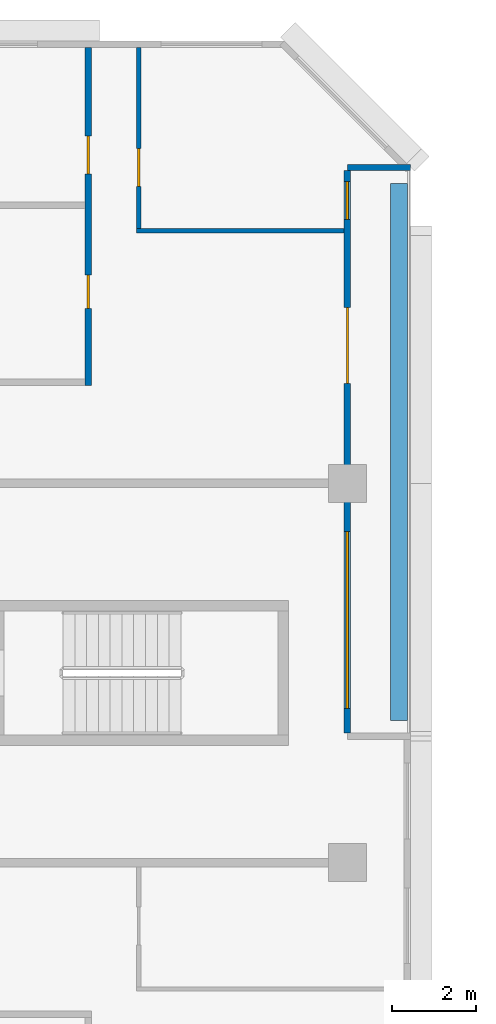
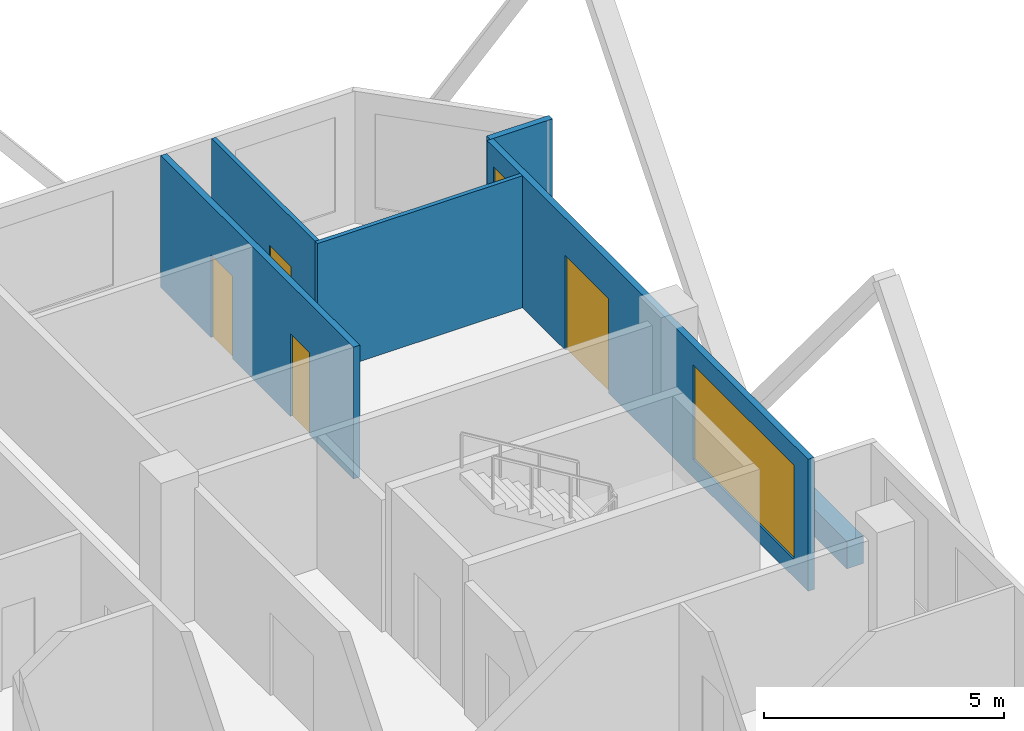
# One storey, part 11 of 15: 6 walls, 4 doors, 2 windows, 6 openings.
"""IFC4 building model written with IfcOpenShell, lengths in metres."""

import ifcopenshell
import ifcopenshell.guid

model = None  # the IFC model being written
_history = None  # IfcOwnerHistory: only IFC2X3 demands one
_inside = {}  # id of a spatial element -> (the spatial element, [elements in it])
_under = {}  # id of a project, library or spatial element -> (it, [spatial elements below it])
_declared = {}  # id of a project -> (the project, [libraries it declares])
_typed = {}  # id of a type object -> (the type object, [elements of that type])
_made_of = {}  # id of a material, layer set ... -> (it, [elements and type objects made of it])


def new_model(schema):
    """Start an empty IFC model of exactly this schema.

    Asked for "IFC4X3", IfcOpenShell would pick the latest addendum, in which some entities
    have other attributes; the version numbers below select the first issue.
    IFC2X3 requires an IfcOwnerHistory on every rooted entity: one is made here for all.
    """
    global model, _history
    if schema == "IFC4X3":
        model = ifcopenshell.file(schema_version=(4, 3, 0, 0))
    else:
        model = ifcopenshell.file(schema=schema)
    _inside.clear()
    _under.clear()
    _declared.clear()
    _typed.clear()
    _made_of.clear()
    _history = None
    if model.schema == "IFC2X3":
        org = make("IfcOrganization", Name="unknown")
        user = make(
            "IfcPersonAndOrganization",
            ThePerson=make("IfcPerson", FamilyName="unknown"),
            TheOrganization=org,
        )
        app = make(
            "IfcApplication",
            ApplicationDeveloper=org,
            Version="unknown",
            ApplicationFullName="unknown",
            ApplicationIdentifier="unknown",
        )
        _history = make(
            "IfcOwnerHistory",
            OwningUser=user,
            OwningApplication=app,
            ChangeAction="ADDED",
            CreationDate=0,
        )
    return model


def make(cls, **values):
    """One entity of the class cls with the attributes given. An attribute that is None is left unset."""
    return model.create_entity(
        cls, **{name: value for name, value in values.items() if value is not None}
    )


def rooted(cls, **values):
    """An entity with a GlobalId (a new one), such as an element, a storey or a relation."""
    return make(cls, GlobalId=ifcopenshell.guid.new(), OwnerHistory=_history, **values)


def si_unit(unit_type, name, prefix=None):
    """IfcSIUnit, for example si_unit("LENGTHUNIT", "METRE", prefix="MILLI")."""
    return make("IfcSIUnit", UnitType=unit_type, Prefix=prefix, Name=name)


def assignment(units):
    """IfcUnitAssignment: the units of a project."""
    return None if units is None else make("IfcUnitAssignment", Units=units)


def point(xyz):
    """IfcCartesianPoint."""
    return None if xyz is None else make("IfcCartesianPoint", Coordinates=xyz)


def direction(xyz):
    """IfcDirection."""
    return None if xyz is None else make("IfcDirection", DirectionRatios=xyz)


def frame(location, z_axis=None, x_axis=None):
    """IfcAxis2Placement3D, a coordinate frame: its origin and axes. An axis left out is left unset."""
    return make(
        "IfcAxis2Placement3D",
        Location=point(location),
        Axis=direction(z_axis),
        RefDirection=direction(x_axis),
    )


def frame_2d(location, x_axis=None):
    """IfcAxis2Placement2D, a coordinate frame in the plane: its origin and x axis."""
    return make(
        "IfcAxis2Placement2D", Location=point(location), RefDirection=direction(x_axis)
    )


def origin():
    """The frame at (0, 0, 0) with its axes left unset."""
    return frame((0.0, 0.0, 0.0))


def place(relative_to, where):
    """IfcLocalPlacement: puts the frame where relative to a parent placement (None: the world)."""
    return make(
        "IfcLocalPlacement", PlacementRelTo=relative_to, RelativePlacement=where
    )


def context(
    kind, dimensions, precision=None, world=None, true_north=None, identifier=None
):
    """IfcGeometricRepresentationContext, for example the 3D "Model" context."""
    return make(
        "IfcGeometricRepresentationContext",
        ContextIdentifier=identifier,
        ContextType=kind,
        CoordinateSpaceDimension=dimensions,
        Precision=precision,
        WorldCoordinateSystem=world,
        TrueNorth=true_north,
    )


def subcontext(parent, identifier, kind, view, scale=None):
    """IfcGeometricRepresentationSubContext, for example "Body" below "Model"."""
    return make(
        "IfcGeometricRepresentationSubContext",
        ContextIdentifier=identifier,
        ContextType=kind,
        ParentContext=parent,
        TargetScale=scale,
        TargetView=view,
    )


def project(units=None, contexts=None):
    """IfcProject with its units and contexts."""
    return rooted(
        "IfcProject",
        Name="project",
        RepresentationContexts=contexts,
        UnitsInContext=assignment(units),
    )


def spatial(cls, under=None, at=None, **own):
    """A site, building, storey or space (cls), placed at a placement, below another one or the project."""
    s = rooted(cls, ObjectPlacement=at, **own)
    if under is not None:
        _under.setdefault(under.id(), (under, []))[1].append(s)
    return s


def profile(cls, at=None, kind="AREA", **sizes):
    """A parametric profile (cls). Its sizes go by their IFC names, for example OverallWidth=200.0."""
    return make(cls, ProfileType=kind, Position=at, **sizes)


def rectangle(**sizes):
    """IfcRectangleProfileDef."""
    return profile("IfcRectangleProfileDef", **sizes)


def extrude(swept, where, along, depth):
    """IfcExtrudedAreaSolid: the profile swept, set in the frame where, extruded along a direction by depth."""
    return make(
        "IfcExtrudedAreaSolid",
        SweptArea=swept,
        Position=where,
        ExtrudedDirection=direction(along),
        Depth=depth,
    )


def shape(context_of_items, identifier, shape_type, items):
    """IfcShapeRepresentation: the items that make up one representation, for example the "Body"."""
    return make(
        "IfcShapeRepresentation",
        ContextOfItems=context_of_items,
        RepresentationIdentifier=identifier,
        RepresentationType=shape_type,
        Items=items,
    )


def material(Name=None, Category=None):
    """IfcMaterial."""
    return make("IfcMaterial", Name=Name, Category=Category)


def layer(
    of_material, thickness, ventilated=None, Name=None, Category=None, Priority=None
):
    """IfcMaterialLayer: one layer of a wall or slab, of a material (None: an air gap)."""
    return make(
        "IfcMaterialLayer",
        Material=of_material,
        LayerThickness=thickness,
        IsVentilated=ventilated,
        Name=Name,
        Category=Category,
        Priority=Priority,
    )


def layer_set(layers, Name=None):
    """IfcMaterialLayerSet."""
    return make("IfcMaterialLayerSet", MaterialLayers=layers, LayerSetName=Name)


def made_of(thing, what):
    """Note that an element or type object is made of a material, layer set ...; save() writes the relation."""
    if what is not None:
        _made_of.setdefault(what.id(), (what, []))[1].append(thing)
    return thing


def type_object(cls, material=None, **own):
    """A type object (cls), such as IfcWallType, which elements share."""
    return made_of(rooted(cls, **own), material)


def element(
    cls,
    number,
    at=None,
    inside=None,
    cuts=None,
    type_object=None,
    material=None,
    context=None,
    identifier="Body",
    shape_type=None,
    held_by="IfcProductDefinitionShape",
    body=None,
    shapes=None,
    **own,
):
    """One element of the class cls, such as IfcWall. Its Tag is "e" and its number.

    at: its placement. inside: the storey or other place that contains it. cuts: it is an
    opening in that element (IfcRelVoidsElement). A single representation is given by context,
    identifier, shape_type and body (its items); several are given by shapes. held_by: the class
    of the entity that holds the representations. save() writes the other relations.
    """
    e = rooted(cls, Tag="e%d" % number, ObjectPlacement=at, **own)
    if body is not None:
        shapes = [shape(context, identifier, shape_type, body)]
    if shapes is not None:
        e.Representation = make(held_by, Representations=shapes)
    if inside is not None:
        _inside.setdefault(inside.id(), (inside, []))[1].append(e)
    if cuts is not None:
        rooted(
            "IfcRelVoidsElement", RelatingBuildingElement=cuts, RelatedOpeningElement=e
        )
    if type_object is not None:
        _typed.setdefault(type_object.id(), (type_object, []))[1].append(e)
    return made_of(e, material)


def fill(opening, filler):
    """IfcRelFillsElement: the door or window that sits in an opening."""
    return rooted(
        "IfcRelFillsElement",
        RelatingOpeningElement=opening,
        RelatedBuildingElement=filler,
    )


def aggregate(whole, parts):
    """IfcRelAggregates: a whole, such as a stair, and the parts it consists of."""
    return rooted("IfcRelAggregates", RelatingObject=whole, RelatedObjects=parts)


def save(model, path):
    """Write the relations noted so far, then the file.

    IfcRelAggregates (storeys below a building ...), IfcRelContainedInSpatialStructure (elements
    in a storey), IfcRelDefinesByType, IfcRelAssociatesMaterial and IfcRelDeclares: one each for
    every whole, place, type object, material and project.
    """
    for whole, parts in _under.values():
        aggregate(whole, parts)
    for where, things in _inside.values():
        rooted(
            "IfcRelContainedInSpatialStructure",
            RelatedElements=things,
            RelatingStructure=where,
        )
    for kind, things in _typed.values():
        rooted("IfcRelDefinesByType", RelatedObjects=things, RelatingType=kind)
    for what, things in _made_of.values():
        rooted("IfcRelAssociatesMaterial", RelatedObjects=things, RelatingMaterial=what)
    for by, libraries in _declared.values():
        rooted("IfcRelDeclares", RelatingContext=by, RelatedDefinitions=libraries)
    model.write(path)


model = new_model("IFC4")

# Units and contexts
model_context = context("Model", 3, precision=1e-05, world=origin(), true_north=direction((0.0, 1.0)))
body_context = subcontext(model_context, "Body", "Model", "MODEL_VIEW")
ifc_project = project(units=[si_unit("LENGTHUNIT", "METRE"), si_unit("AREAUNIT", "SQUARE_METRE"), si_unit("VOLUMEUNIT", "CUBIC_METRE"), si_unit("PLANEANGLEUNIT", "RADIAN"), si_unit("MASSUNIT", "GRAM", prefix="KILO")], contexts=[model_context])

# Site, building, storey
site_placement = place(None, origin())
site = spatial("IfcSite", under=ifc_project, at=site_placement, CompositionType="ELEMENT")
building_placement = place(site_placement, origin())
building = spatial("IfcBuilding", under=site, at=building_placement, Name="Chenar Terraces", CompositionType="ELEMENT")
storey_placement = place(building_placement, frame((0.0, 0.0, 172.39990234375)))
storey = spatial("IfcBuildingStorey", under=building, at=storey_placement, Name="L39", CompositionType="ELEMENT", Elevation=172.39990234375)

# Wall, openings, windows, door
ifc_material_1 = material(Name="Aluminium framed glazing", Category="aluminium")
ifc_layer_1 = layer(ifc_material_1, 0.14990234375)
ifc_layer_set_1 = layer_set([ifc_layer_1], Name="Aluminium framed glazing")
wall_type_1 = type_object("IfcWallType", Name="Glazed loggia back wall 150", PredefinedType="SOLIDWALL", material=ifc_layer_set_1)
wall_1_placement = place(storey_placement, frame((24.0, 48.074951171875, 0.0), z_axis=(0.0, 0.0, 1.0), x_axis=(0.0, 1.0, 0.0)))
wall_1 = element("IfcWall", 1, at=wall_1_placement, inside=storey, type_object=wall_type_1, Name="Glazed loggia back wall", PredefinedType="SOLIDWALL", context=body_context, shape_type="SweptSolid", body=[
    extrude(rectangle(XDim=13.35009765625, YDim=0.14990234375, at=frame_2d((6.675048828125, 0.0))), origin(), (0.0, 0.0, 1.0), 3.35009765625),
])
opening_1_placement = place(wall_1_placement, frame((0.58740234375, 0.0, 0.449951171875)))
opening_1 = element("IfcOpeningElement", 2, at=opening_1_placement, cuts=wall_1, Name="Opening W420x240", PredefinedType="OPENING", context=body_context, shape_type="SweptSolid", body=[
    extrude(rectangle(XDim=4.199951171875, YDim=2.39990234375, at=frame_2d((2.10009765625, 1.199951171875))), frame((0.0, 0.0849609375, 0.0), z_axis=(0.0, -1.0, 0.0), x_axis=(1.0, 0.0, 0.0)), (0.0, 0.0, 1.0), 0.169921875),
])
opening_2_placement = place(wall_1_placement, frame((8.300048828125, 0.0, 0.0)))
opening_2 = element("IfcOpeningElement", 3, at=opening_2_placement, cuts=wall_1, Name="Opening DL39-G2", PredefinedType="OPENING", context=body_context, shape_type="SweptSolid", body=[
    extrude(rectangle(XDim=1.800048828125, YDim=2.39990234375, at=frame_2d((0.89990234375, 1.199951171875))), frame((0.0, 0.0849609375, 0.0), z_axis=(0.0, -1.0, 0.0), x_axis=(1.0, 0.0, 0.0)), (0.0, 0.0, 1.0), 0.169921875),
])
opening_3_placement = place(wall_1_placement, frame((12.1875, 0.0, 0.449951171875)))
opening_3 = element("IfcOpeningElement", 4, at=opening_3_placement, cuts=wall_1, Name="Opening W90x240", PredefinedType="OPENING", context=body_context, shape_type="SweptSolid", body=[
    extrude(rectangle(XDim=0.89990234375, YDim=2.39990234375, at=frame_2d((0.449951171875, 1.199951171875))), frame((0.0, 0.0849609375, 0.0), z_axis=(0.0, -1.0, 0.0), x_axis=(1.0, 0.0, 0.0)), (0.0, 0.0, 1.0), 0.169921875),
])
ifc_material_2 = material(Name="Low emissivity double glazing, aluminium frame", Category="aluminium")
window_type_1 = type_object("IfcWindowType", Name="Fixed light 4200 x 2400", PartitioningType="SINGLE_PANEL", PredefinedType="WINDOW", material=ifc_material_2)
window_1_placement = place(opening_1_placement, origin())
window_1 = element("IfcWindow", 5, at=window_1_placement, inside=storey, type_object=window_type_1, Name="Window", OverallHeight=2.39990234375, OverallWidth=4.199951171875, PartitioningType="SINGLE_PANEL", PredefinedType="WINDOW", context=body_context, shape_type="SweptSolid", body=[
    extrude(rectangle(XDim=4.199951171875, YDim=2.39990234375, at=frame_2d((2.10009765625, 1.199951171875))), frame((0.0, 0.030029296875, 0.0), z_axis=(0.0, -1.0, 0.0), x_axis=(1.0, 0.0, 0.0)), (0.0, 0.0, 1.0), 0.06005859375),
])
fill(opening_1, window_1)
ifc_material_3 = material(Name="Low emissivity double glazing, aluminium frame", Category="aluminium")
window_type_2 = type_object("IfcWindowType", Name="Fixed light 900 x 2400", PartitioningType="SINGLE_PANEL", PredefinedType="WINDOW", material=ifc_material_3)
window_2_placement = place(opening_3_placement, origin())
window_2 = element("IfcWindow", 6, at=window_2_placement, inside=storey, type_object=window_type_2, Name="Window", OverallHeight=2.39990234375, OverallWidth=0.89990234375, PartitioningType="SINGLE_PANEL", PredefinedType="WINDOW", context=body_context, shape_type="SweptSolid", body=[
    extrude(rectangle(XDim=0.89990234375, YDim=2.39990234375, at=frame_2d((0.449951171875, 1.199951171875))), frame((0.0, 0.030029296875, 0.0), z_axis=(0.0, -1.0, 0.0), x_axis=(1.0, 0.0, 0.0)), (0.0, 0.0, 1.0), 0.06005859375),
])
fill(opening_3, window_2)
ifc_material_4 = material(Name="Low emissivity double glazing, aluminium frame", Category="aluminium")
door_type_1 = type_object("IfcDoorType", Name="Loggia glazed double door 1800 x 2400", OperationType="DOUBLE_DOOR_SINGLE_SWING", PredefinedType="DOOR", material=ifc_material_4)
door_1_placement = place(opening_2_placement, frame((1.800048828125, 0.0, 0.0), z_axis=(0.0, 0.0, 1.0), x_axis=(-1.0, 0.0, 0.0)))
door_1 = element("IfcDoor", 7, at=door_1_placement, inside=storey, type_object=door_type_1, Name="Loggia glazed door", OperationType="DOUBLE_DOOR_SINGLE_SWING", OverallHeight=2.39990234375, OverallWidth=1.800048828125, PredefinedType="DOOR", context=body_context, shape_type="SweptSolid", body=[
    extrude(rectangle(XDim=1.800048828125, YDim=2.39990234375, at=frame_2d((0.89990234375, 1.199951171875))), frame((0.0, 0.02490234375, 0.0), z_axis=(0.0, -1.0, 0.0), x_axis=(1.0, 0.0, 0.0)), (0.0, 0.0, 1.0), 0.050048828125),
])
fill(opening_2, door_1)

# Wall
ifc_material_5 = material(Name="Gypsum board on steel studs", Category="steel")
ifc_layer_2 = layer(ifc_material_5, 0.10009765625)
ifc_layer_set_2 = layer_set([ifc_layer_2], Name="Gypsum board on steel studs")
wall_type_2 = type_object("IfcWallType", Name="Gypsum partition 100", PredefinedType="PARTITIONING", material=ifc_layer_set_2)
wall_2_placement = place(storey_placement, frame((19.0, 60.0, 0.0), z_axis=(0.0, 0.0, 1.0), x_axis=(1.0, 0.0, 0.0)))
element("IfcWall", 8, at=wall_2_placement, inside=storey, type_object=wall_type_2, Name="Partition L39-053", PredefinedType="PARTITIONING", context=body_context, shape_type="SweptSolid", body=[
    extrude(rectangle(XDim=4.926025390625, YDim=0.10009765625, at=frame_2d((2.462890625, 0.0))), origin(), (0.0, 0.0, 1.0), 3.35009765625),
])

# Wall, opening, door
wall_3_placement = place(storey_placement, frame((19.050048828125, 60.050048828125, 0.0), z_axis=(0.0, 0.0, 1.0), x_axis=(0.0, 1.0, 0.0)))
wall_3 = element("IfcWall", 9, at=wall_3_placement, inside=storey, type_object=wall_type_2, Name="Partition L39-055", PredefinedType="PARTITIONING", context=body_context, shape_type="SweptSolid", body=[
    extrude(rectangle(XDim=4.301025390625, YDim=0.10009765625, at=frame_2d((2.150390625, 0.0))), origin(), (0.0, 0.0, 1.0), 3.35009765625),
])
opening_4_placement = place(wall_3_placement, frame((1.0, 0.0, 0.0)))
opening_4 = element("IfcOpeningElement", 10, at=opening_4_placement, cuts=wall_3, Name="Opening DL39-20", PredefinedType="OPENING", context=body_context, shape_type="SweptSolid", body=[
    extrude(rectangle(XDim=0.89990234375, YDim=2.10009765625, at=frame_2d((0.449951171875, 1.050048828125))), frame((0.0, 0.06005859375, 0.0), z_axis=(0.0, -1.0, 0.0), x_axis=(1.0, 0.0, 0.0)), (0.0, 0.0, 1.0), 0.1201171875),
])
ifc_material_6 = material(Name="Veneered timber door leaf", Category="wood")
door_type_2 = type_object("IfcDoorType", Name="Door 900 x 2100", OperationType="SINGLE_SWING_LEFT", PredefinedType="DOOR", material=ifc_material_6)
door_2_placement = place(opening_4_placement, frame((0.89990234375, 0.0, 0.0), z_axis=(0.0, 0.0, 1.0), x_axis=(-1.0, 0.0, 0.0)))
door_2 = element("IfcDoor", 11, at=door_2_placement, inside=storey, type_object=door_type_2, Name="Door DL39-20", OperationType="SINGLE_SWING_RIGHT", OverallHeight=2.10009765625, OverallWidth=0.89990234375, PredefinedType="DOOR", context=body_context, shape_type="SweptSolid", body=[
    extrude(rectangle(XDim=0.89990234375, YDim=2.10009765625, at=frame_2d((0.449951171875, 1.050048828125))), frame((0.0, 0.02490234375, 0.0), z_axis=(0.0, -1.0, 0.0), x_axis=(1.0, 0.0, 0.0)), (0.0, 0.0, 1.0), 0.050048828125),
])
fill(opening_4, door_2)

# Walls
ifc_material_7 = material(Name="Terracotta cladding on insulated backing", Category="masonry")
ifc_layer_3 = layer(ifc_material_7, 0.14990234375)
ifc_layer_set_3 = layer_set([ifc_layer_3], Name="Terracotta cladding on insulated backing")
wall_type_3 = type_object("IfcWallType", Name="Loggia return wall 150", PredefinedType="SOLIDWALL", material=ifc_layer_set_3)
wall_4_placement = place(storey_placement, frame((25.5, 61.5, 0.0), z_axis=(0.0, 0.0, 1.0), x_axis=(-1.0, 0.0, 0.0)))
element("IfcWall", 12, at=wall_4_placement, inside=storey, type_object=wall_type_3, Name="Loggia return wall", PredefinedType="SOLIDWALL", context=body_context, shape_type="SweptSolid", body=[
    extrude(rectangle(XDim=1.5, YDim=0.14990234375, at=frame_2d((0.75, 0.0))), origin(), (0.0, 0.0, 1.0), 3.35009765625),
])
ifc_material_8 = material(Name="GRP planter trough")
ifc_layer_4 = layer(ifc_material_8, 0.39990234375)
ifc_layer_set_4 = layer_set([ifc_layer_4], Name="GRP planter trough")
wall_type_4 = type_object("IfcWallType", Name="Vertical greenery planter 400", PredefinedType="SOLIDWALL", material=ifc_layer_set_4)
wall_5_placement = place(storey_placement, frame((25.22900390625, 48.375, 0.0), z_axis=(0.0, 0.0, 1.0), x_axis=(0.0, 1.0, 0.0)))
element("IfcWall", 13, at=wall_5_placement, inside=storey, type_object=wall_type_4, Name="Vertical greenery planter", PredefinedType="SOLIDWALL", context=body_context, shape_type="SweptSolid", body=[
    extrude(rectangle(XDim=12.75, YDim=0.39990234375, at=frame_2d((6.375, 0.0))), origin(), (0.0, 0.0, 1.0), 0.7001953125),
])

# Wall, openings, doors
ifc_material_9 = material(Name="Moisture-resistant gypsum board on steel studs", Category="steel")
ifc_layer_5 = layer(ifc_material_9, 0.14990234375)
ifc_layer_set_5 = layer_set([ifc_layer_5], Name="Moisture-resistant gypsum board on steel studs")
wall_type_5 = type_object("IfcWallType", Name="Wet-room partition 150", PredefinedType="PARTITIONING", material=ifc_layer_set_5)
wall_6_placement = place(storey_placement, frame((17.85009765625, 56.324951171875, 0.0), z_axis=(0.0, 0.0, 1.0), x_axis=(0.0, 1.0, 0.0)))
wall_6 = element("IfcWall", 14, at=wall_6_placement, inside=storey, type_object=wall_type_5, Name="Partition L39-049", PredefinedType="PARTITIONING", context=body_context, shape_type="SweptSolid", body=[
    extrude(rectangle(XDim=8.025146484375, YDim=0.14990234375, at=frame_2d((4.0126953125, 0.0))), origin(), (0.0, 0.0, 1.0), 3.35009765625),
])
opening_5_placement = place(wall_6_placement, frame((1.824951171875, 0.0, 0.0)))
opening_5 = element("IfcOpeningElement", 15, at=opening_5_placement, cuts=wall_6, Name="Opening DL39-19", PredefinedType="OPENING", context=body_context, shape_type="SweptSolid", body=[
    extrude(rectangle(XDim=0.800048828125, YDim=2.10009765625, at=frame_2d((0.39990234375, 1.050048828125))), frame((0.0, 0.0849609375, 0.0), z_axis=(0.0, -1.0, 0.0), x_axis=(1.0, 0.0, 0.0)), (0.0, 0.0, 1.0), 0.169921875),
])
opening_6_placement = place(wall_6_placement, frame((5.02490234375, 0.0, 0.0)))
opening_6 = element("IfcOpeningElement", 16, at=opening_6_placement, cuts=wall_6, Name="Opening DL39-21", PredefinedType="OPENING", context=body_context, shape_type="SweptSolid", body=[
    extrude(rectangle(XDim=0.89990234375, YDim=2.10009765625, at=frame_2d((0.449951171875, 1.050048828125))), frame((0.0, 0.0849609375, 0.0), z_axis=(0.0, -1.0, 0.0), x_axis=(1.0, 0.0, 0.0)), (0.0, 0.0, 1.0), 0.169921875),
])
ifc_material_10 = material(Name="Veneered timber door leaf", Category="wood")
door_type_3 = type_object("IfcDoorType", Name="Door 800 x 2100", OperationType="SINGLE_SWING_LEFT", PredefinedType="DOOR", material=ifc_material_10)
door_3_placement = place(opening_5_placement, origin())
door_3 = element("IfcDoor", 17, at=door_3_placement, inside=storey, type_object=door_type_3, Name="Door DL39-19", OperationType="SINGLE_SWING_RIGHT", OverallHeight=2.10009765625, OverallWidth=0.800048828125, PredefinedType="DOOR", context=body_context, shape_type="SweptSolid", body=[
    extrude(rectangle(XDim=0.800048828125, YDim=2.10009765625, at=frame_2d((0.39990234375, 1.050048828125))), frame((0.0, 0.02490234375, 0.0), z_axis=(0.0, -1.0, 0.0), x_axis=(1.0, 0.0, 0.0)), (0.0, 0.0, 1.0), 0.050048828125),
])
fill(opening_5, door_3)
door_4_placement = place(opening_6_placement, origin())
door_4 = element("IfcDoor", 18, at=door_4_placement, inside=storey, type_object=door_type_2, Name="Door DL39-21", OperationType="SINGLE_SWING_LEFT", OverallHeight=2.10009765625, OverallWidth=0.89990234375, PredefinedType="DOOR", context=body_context, shape_type="SweptSolid", body=[
    extrude(rectangle(XDim=0.89990234375, YDim=2.10009765625, at=frame_2d((0.449951171875, 1.050048828125))), frame((0.0, 0.02490234375, 0.0), z_axis=(0.0, -1.0, 0.0), x_axis=(1.0, 0.0, 0.0)), (0.0, 0.0, 1.0), 0.050048828125),
])
fill(opening_6, door_4)

save(model, "model.ifc")
